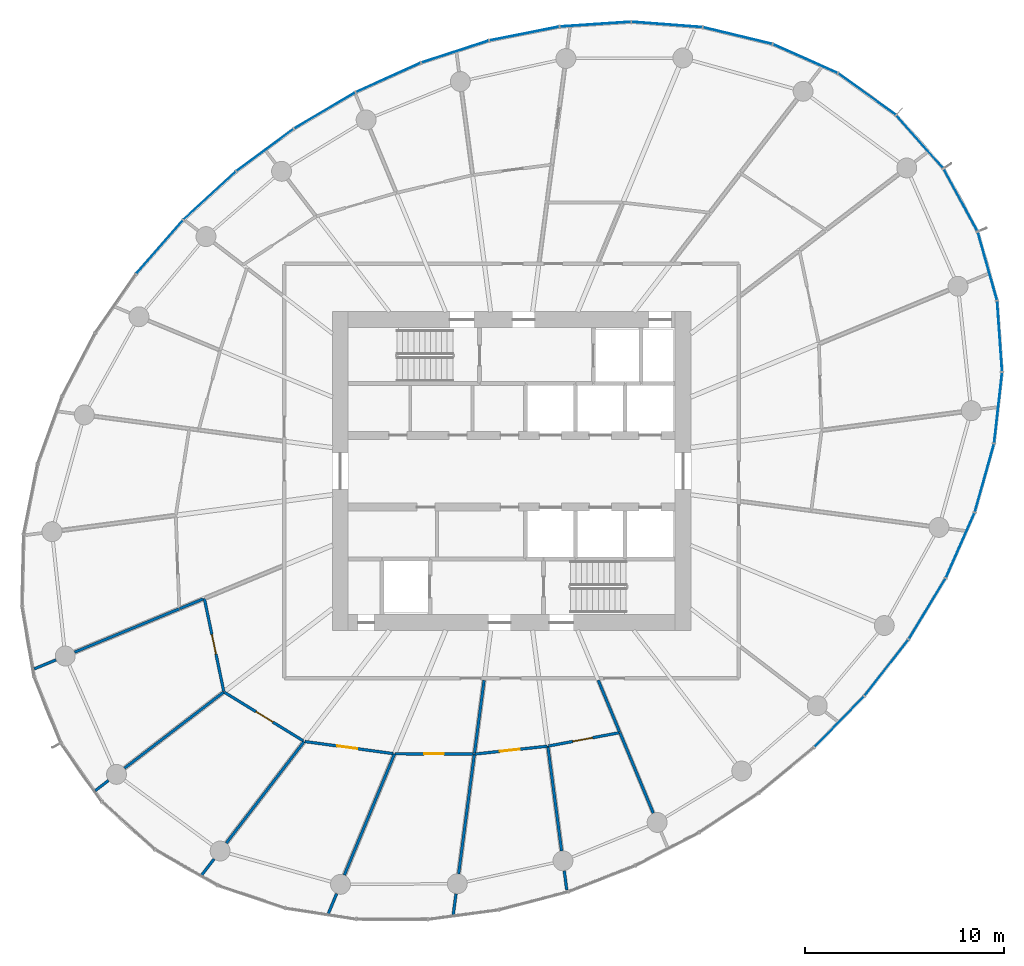
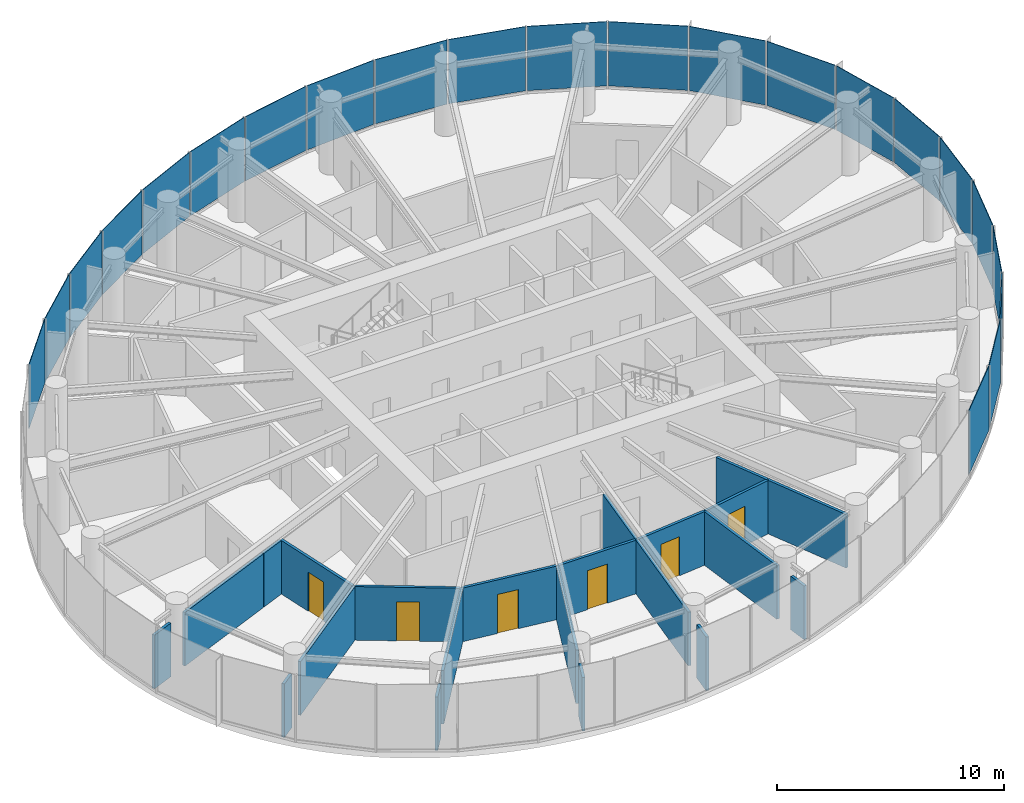
# One storey, part 8 of 15: 22 plates, 22 walls, 6 doors, 6 openings, 5 elements without a shape of their own.
"""IFC4 building model written with IfcOpenShell, lengths in metres."""

from ifc_helpers import new_model, si_unit, direction, frame, frame_2d, origin, origin_2d, place, context, subcontext, project, spatial, rectangle, extrude, source, transform, mapped, material, layer, layer_set, type_object, element, fill, aggregate, save


model = new_model("IFC4")

# Units and contexts
model_context = context("Model", 3, precision=1e-05, world=origin(), true_north=direction((0.0, 1.0)))
body_context = subcontext(model_context, "Body", "Model", "MODEL_VIEW")
ifc_project = project(units=[si_unit("LENGTHUNIT", "METRE"), si_unit("AREAUNIT", "SQUARE_METRE"), si_unit("VOLUMEUNIT", "CUBIC_METRE"), si_unit("PLANEANGLEUNIT", "RADIAN"), si_unit("MASSUNIT", "GRAM", prefix="KILO")], contexts=[model_context])

# Site, building, storey
site_placement = place(None, origin())
site = spatial("IfcSite", under=ifc_project, at=site_placement, CompositionType="ELEMENT")
building_placement = place(site_placement, origin())
building = spatial("IfcBuilding", under=site, at=building_placement, Name="Spindrift Exchange Tower", CompositionType="ELEMENT")
storey_placement = place(building_placement, frame((0.0, 0.0, 168.199951171875)))
storey = spatial("IfcBuildingStorey", under=building, at=storey_placement, Name="L40", CompositionType="ELEMENT", Elevation=168.199951171875)

# Curtain wall, plate
ifc_material_1 = material(Name="Fritted laminated glass with bronze frame", Category="glass")
ifc_layer_1 = layer(ifc_material_1, 0.179931640625)
ifc_layer_set_1 = layer_set([ifc_layer_1], Name="ZONE 3 BRONZE FRITTED WALL")
curtain_wall_type = type_object("IfcCurtainWallType", Name="ZONE 3 BRONZE FRITTED WALL", PredefinedType="NOTDEFINED", material=ifc_layer_set_1)
curtain_wall_1_placement = place(storey_placement, origin())
curtain_wall_1 = element("IfcCurtainWall", 1, at=curtain_wall_1_placement, inside=storey, type_object=curtain_wall_type, Name="L40 Zone 3 Bronze Fritted Wall run 6", PredefinedType="NOTDEFINED")
ifc_material_2 = material(Name="Bronze fritted laminated glass, open frit", Category="glass")
ifc_layer_2 = layer(ifc_material_2, 0.031982421875)
ifc_layer_set_2 = layer_set([ifc_layer_2], Name="ZONE 3 BRONZE FRITTED WALL PANEL OPEN FRIT 360")
plate_type_1 = type_object("IfcPlateType", Name="ZONE 3 BRONZE FRITTED WALL PANEL OPEN FRIT 360", PredefinedType="CURTAIN_PANEL", material=ifc_layer_set_2)
shared_shape_1 = source(origin(), body_context, "Body", "SweptSolid", [
    extrude(rectangle(XDim=3.530517578125, YDim=0.031982421875, at=origin_2d()), origin(), (0.0, 0.0, 1.0), 3.449951171875),
])
plate_1_placement = place(storey_placement, frame((70.81005859375, 38.13623046875, 0.1298828125), z_axis=(0.0, 0.0, 1.0), x_axis=(0.615640845041, 0.788026871316, 0.0)))
plate_1 = element("IfcPlate", 2, at=plate_1_placement, type_object=plate_type_1, Name="L40 panel CW-3.34", PredefinedType="CURTAIN_PANEL", context=body_context, shape_type="MappedRepresentation", body=[
    mapped(shared_shape_1, transform((0.0, 0.0, 0.0), scale=1.0)),
])

curtain_wall_2_placement = place(storey_placement, origin())
curtain_wall_2 = element("IfcCurtainWall", 3, at=curtain_wall_2_placement, inside=storey, type_object=curtain_wall_type, Name="L40 Zone 3 Bronze Fritted Wall run 3", PredefinedType="NOTDEFINED")
ifc_layer_3 = layer(ifc_material_2, 0.031982421875)
ifc_layer_set_3 = layer_set([ifc_layer_3], Name="ZONE 3 BRONZE FRITTED WALL PANEL OPEN FRIT 600")
plate_type_2 = type_object("IfcPlateType", Name="ZONE 3 BRONZE FRITTED WALL PANEL OPEN FRIT 600", PredefinedType="CURTAIN_PANEL", material=ifc_layer_set_3)
shared_shape_2 = source(origin(), body_context, "Body", "SweptSolid", [
    extrude(rectangle(XDim=3.53076171875, YDim=0.031982421875, at=origin_2d()), origin(), (0.0, 0.0, 1.0), 3.449951171875),
])
plate_2_placement = place(storey_placement, frame((34.335693359375, 59.24951171875, 0.1298828125), z_axis=(0.0, 0.0, 1.0), x_axis=(-0.658982256441, -0.752158484427, 0.0)))
plate_2 = element("IfcPlate", 4, at=plate_2_placement, type_object=plate_type_2, Name="L40 panel CW-3.13", PredefinedType="CURTAIN_PANEL", context=body_context, shape_type="MappedRepresentation", body=[
    mapped(shared_shape_2, transform((0.0, 0.0, 0.0), scale=1.0)),
])
aggregate(curtain_wall_2, [plate_2])

# Curtain wall, plates
curtain_wall_3_placement = place(storey_placement, origin())
curtain_wall_3 = element("IfcCurtainWall", 5, at=curtain_wall_3_placement, inside=storey, type_object=curtain_wall_type, Name="L40 Zone 3 Bronze Fritted Wall run 2", PredefinedType="NOTDEFINED")
shared_shape_3 = source(origin(), body_context, "Body", "SweptSolid", [
    extrude(rectangle(XDim=3.531005859375, YDim=0.031982421875, at=origin_2d()), origin(), (0.0, 0.0, 1.0), 3.449951171875),
])
plate_3_placement = place(storey_placement, frame((39.6220703125, 64.109619140625, 0.1298828125), z_axis=(0.0, 0.0, 1.0), x_axis=(-0.803842326115, -0.594842428502, 0.0)))
plate_3 = element("IfcPlate", 6, at=plate_3_placement, type_object=plate_type_2, Name="L40 panel CW-3.11", PredefinedType="CURTAIN_PANEL", context=body_context, shape_type="MappedRepresentation", body=[
    mapped(shared_shape_3, transform((0.0, 0.0, 0.0), scale=1.0)),
])
shared_shape_4 = source(origin(), body_context, "Body", "SweptSolid", [
    extrude(rectangle(XDim=3.531005859375, YDim=0.031982421875, at=origin_2d()), origin(), (0.0, 0.0, 1.0), 3.449951171875),
])
plate_4_placement = place(storey_placement, frame((42.620849609375, 66.093994140625, 0.1298828125), z_axis=(0.0, 0.0, 1.0), x_axis=(-0.861758462413, -0.507318787805, 0.0)))
plate_4 = element("IfcPlate", 7, at=plate_4_placement, type_object=plate_type_1, Name="L40 panel CW-3.10", PredefinedType="CURTAIN_PANEL", context=body_context, shape_type="MappedRepresentation", body=[
    mapped(shared_shape_4, transform((0.0, 0.0, 0.0), scale=1.0)),
])
shared_shape_5 = source(origin(), body_context, "Body", "SweptSolid", [
    extrude(rectangle(XDim=3.53076171875, YDim=0.031982421875, at=origin_2d()), origin(), (0.0, 0.0, 1.0), 3.449951171875),
])
plate_5_placement = place(storey_placement, frame((36.848388671875, 61.8212890625, 0.1298828125), z_axis=(0.0, 0.0, 1.0), x_axis=(-0.736662706733, -0.676260346692, 0.0)))
plate_5 = element("IfcPlate", 8, at=plate_5_placement, type_object=plate_type_1, Name="L40 panel CW-3.12", PredefinedType="CURTAIN_PANEL", context=body_context, shape_type="MappedRepresentation", body=[
    mapped(shared_shape_5, transform((0.0, 0.0, 0.0), scale=1.0)),
])
ifc_layer_4 = layer(ifc_material_2, 0.031982421875)
ifc_layer_set_4 = layer_set([ifc_layer_4], Name="ZONE 3 BRONZE FRITTED WALL PANEL OPEN FRIT 480")
plate_type_3 = type_object("IfcPlateType", Name="ZONE 3 BRONZE FRITTED WALL PANEL OPEN FRIT 480", PredefinedType="CURTAIN_PANEL", material=ifc_layer_set_4)
shared_shape_6 = source(origin(), body_context, "Body", "SweptSolid", [
    extrude(rectangle(XDim=3.530517578125, YDim=0.031982421875, at=origin_2d()), origin(), (0.0, 0.0, 1.0), 3.449951171875),
])
plate_6_placement = place(storey_placement, frame((49.16455078125, 69.04931640625, 0.1298828125), z_axis=(0.0, 0.0, 1.0), x_axis=(-0.951068920266, -0.308978816271, 0.0)))
plate_6 = element("IfcPlate", 9, at=plate_6_placement, type_object=plate_type_3, Name="L40 panel CW-3.8", PredefinedType="CURTAIN_PANEL", context=body_context, shape_type="MappedRepresentation", body=[
    mapped(shared_shape_6, transform((0.0, 0.0, 0.0), scale=1.0)),
])
shared_shape_7 = source(origin(), body_context, "Body", "SweptSolid", [
    extrude(rectangle(XDim=3.53076171875, YDim=0.031982421875, at=origin_2d()), origin(), (0.0, 0.0, 1.0), 3.449951171875),
])
plate_7_placement = place(storey_placement, frame((45.8125, 67.750244140625, 0.1298828125), z_axis=(0.0, 0.0, 1.0), x_axis=(-0.910921440814, -0.4125798452, 0.0)))
plate_7 = element("IfcPlate", 10, at=plate_7_placement, type_object=plate_type_3, Name="L40 panel CW-3.9", PredefinedType="CURTAIN_PANEL", context=body_context, shape_type="MappedRepresentation", body=[
    mapped(shared_shape_7, transform((0.0, 0.0, 0.0), scale=1.0)),
])

# Plate
plate_8_placement = place(storey_placement, frame((68.44287109375, 35.430419921875, 0.1298828125), z_axis=(0.0, 0.0, 1.0), x_axis=(0.699245479272, 0.714881640356, 0.0)))
plate_8 = element("IfcPlate", 11, at=plate_8_placement, type_object=plate_type_3, Name="L40 panel CW-3.33", PredefinedType="CURTAIN_PANEL", context=body_context, shape_type="MappedRepresentation", body=[
    mapped(shared_shape_7, transform((0.0, 0.0, 0.0), scale=1.0)),
])

# Curtain wall, plate
curtain_wall_4_placement = place(storey_placement, origin())
curtain_wall_4 = element("IfcCurtainWall", 12, at=curtain_wall_4_placement, inside=storey, type_object=curtain_wall_type, Name="L40 Zone 3 Bronze Fritted Wall run 7", PredefinedType="NOTDEFINED")
shared_shape_8 = source(origin(), body_context, "Body", "SweptSolid", [
    extrude(rectangle(XDim=3.52490234375, YDim=0.031982421875, at=origin_2d()), origin(), (0.0, 0.0, 1.0), 3.449951171875),
])
plate_9_placement = place(storey_placement, frame((74.531982421875, 61.597412109375, 0.1298828125), z_axis=(0.0, 0.0, 1.0), x_axis=(-0.476304194275, 0.879280566438, 0.0)))
plate_9 = element("IfcPlate", 13, at=plate_9_placement, type_object=plate_type_3, Name="L40 panel CW-3.41", PredefinedType="CURTAIN_PANEL", context=body_context, shape_type="MappedRepresentation", body=[
    mapped(shared_shape_8, transform((0.0, 0.0, 0.0), scale=1.0)),
])

curtain_wall_5_placement = place(storey_placement, origin())
curtain_wall_5 = element("IfcCurtainWall", 14, at=curtain_wall_5_placement, inside=storey, type_object=curtain_wall_type, Name="L40 Zone 3 Bronze Fritted Wall run 1", PredefinedType="NOTDEFINED")
shared_shape_9 = source(origin(), body_context, "Body", "SweptSolid", [
    extrude(rectangle(XDim=3.52685546875, YDim=0.031982421875, at=origin_2d()), origin(), (0.0, 0.0, 1.0), 3.449951171875),
])
plate_10_placement = place(storey_placement, frame((66.7294921875, 68.698974609375, 0.1298828125), z_axis=(0.0, 0.0, 1.0), x_axis=(-0.9134716141, 0.406902457886, 0.0)))
plate_10 = element("IfcPlate", 15, at=plate_10_placement, type_object=plate_type_3, Name="L40 panel CW-3.3", PredefinedType="CURTAIN_PANEL", context=body_context, shape_type="MappedRepresentation", body=[
    mapped(shared_shape_9, transform((0.0, 0.0, 0.0), scale=1.0)),
])

# Plate
shared_shape_10 = source(origin(), body_context, "Body", "SweptSolid", [
    extrude(rectangle(XDim=3.5302734375, YDim=0.031982421875, at=origin_2d()), origin(), (0.0, 0.0, 1.0), 3.449951171875),
])
plate_11_placement = place(storey_placement, frame((72.8515625, 41.094482421875, 0.1298828125), z_axis=(0.0, 0.0, 1.0), x_axis=(0.518289733967, 0.855205093334, 0.0)))
plate_11 = element("IfcPlate", 16, at=plate_11_placement, type_object=plate_type_1, Name="L40 panel CW-3.35", PredefinedType="CURTAIN_PANEL", context=body_context, shape_type="MappedRepresentation", body=[
    mapped(shared_shape_10, transform((0.0, 0.0, 0.0), scale=1.0)),
])

shared_shape_11 = source(origin(), body_context, "Body", "SweptSolid", [
    extrude(rectangle(XDim=3.5302734375, YDim=0.031982421875, at=origin_2d()), origin(), (0.0, 0.0, 1.0), 3.449951171875),
])
plate_12_placement = place(storey_placement, frame((52.642578125, 69.955810546875, 0.1298828125), z_axis=(0.0, 0.0, 1.0), x_axis=(-0.98089442596, -0.194540805797, 0.0)))
plate_12 = element("IfcPlate", 17, at=plate_12_placement, type_object=plate_type_3, Name="L40 panel CW-3.7", PredefinedType="CURTAIN_PANEL", context=body_context, shape_type="MappedRepresentation", body=[
    mapped(shared_shape_11, transform((0.0, 0.0, 0.0), scale=1.0)),
])

aggregate(curtain_wall_3, [plate_12, plate_6, plate_7, plate_4, plate_3, plate_5])

shared_shape_12 = source(origin(), body_context, "Body", "SweptSolid", [
    extrude(rectangle(XDim=3.52978515625, YDim=0.031982421875, at=origin_2d()), origin(), (0.0, 0.0, 1.0), 3.449951171875),
])
plate_13_placement = place(storey_placement, frame((56.2041015625, 70.426513671875, 0.1298828125), z_axis=(0.0, 0.0, 1.0), x_axis=(-0.997752852795, -0.067001826392, 0.0)))
plate_13 = element("IfcPlate", 18, at=plate_13_placement, type_object=plate_type_2, Name="L40 panel CW-3.6", PredefinedType="CURTAIN_PANEL", context=body_context, shape_type="MappedRepresentation", body=[
    mapped(shared_shape_12, transform((0.0, 0.0, 0.0), scale=1.0)),
])

plate_14_placement = place(storey_placement, frame((74.511962890625, 44.2802734375, 0.1298828125), z_axis=(0.0, 0.0, 1.0), x_axis=(0.404217484726, 0.914662902408, 0.0)))
plate_14 = element("IfcPlate", 19, at=plate_14_placement, type_object=plate_type_2, Name="L40 panel CW-3.36", PredefinedType="CURTAIN_PANEL", context=body_context, shape_type="MappedRepresentation", body=[
    mapped(shared_shape_12, transform((0.0, 0.0, 0.0), scale=1.0)),
])

aggregate(curtain_wall_1, [plate_8, plate_1, plate_11, plate_14])

shared_shape_13 = source(origin(), body_context, "Body", "SweptSolid", [
    extrude(rectangle(XDim=3.525634765625, YDim=0.031982421875, at=origin_2d()), origin(), (0.0, 0.0, 1.0), 3.449951171875),
])
plate_15_placement = place(storey_placement, frame((75.87548828125, 58.286376953125, 0.1298828125), z_axis=(0.0, 0.0, 1.0), x_axis=(-0.270995273509, 0.96258067804, 0.0)))
plate_15 = element("IfcPlate", 20, at=plate_15_placement, type_object=plate_type_3, Name="L40 panel CW-3.40", PredefinedType="CURTAIN_PANEL", context=body_context, shape_type="MappedRepresentation", body=[
    mapped(shared_shape_13, transform((0.0, 0.0, 0.0), scale=1.0)),
])

shared_shape_14 = source(origin(), body_context, "Body", "SweptSolid", [
    extrude(rectangle(XDim=3.5283203125, YDim=0.031982421875, at=origin_2d()), origin(), (0.0, 0.0, 1.0), 3.449951171875),
])
plate_16_placement = place(storey_placement, frame((63.337646484375, 69.852783203125, 0.1298828125), z_axis=(0.0, 0.0, 1.0), x_axis=(-0.972101184359, 0.234561905195, 0.0)))
plate_16 = element("IfcPlate", 21, at=plate_16_placement, type_object=plate_type_1, Name="L40 panel CW-3.4", PredefinedType="CURTAIN_PANEL", context=body_context, shape_type="MappedRepresentation", body=[
    mapped(shared_shape_14, transform((0.0, 0.0, 0.0), scale=1.0)),
])

shared_shape_15 = source(origin(), body_context, "Body", "SweptSolid", [
    extrude(rectangle(XDim=3.525634765625, YDim=0.031982421875, at=origin_2d()), origin(), (0.0, 0.0, 1.0), 3.449951171875),
])
plate_17_placement = place(storey_placement, frame((69.831787109375, 66.91748046875, 0.1298828125), z_axis=(0.0, 0.0, 1.0), x_axis=(-0.811844117779, 0.58387424025, 0.0)))
plate_17 = element("IfcPlate", 22, at=plate_17_placement, type_object=plate_type_2, Name="L40 panel CW-3.2", PredefinedType="CURTAIN_PANEL", context=body_context, shape_type="MappedRepresentation", body=[
    mapped(shared_shape_15, transform((0.0, 0.0, 0.0), scale=1.0)),
])

shared_shape_16 = source(origin(), body_context, "Body", "SweptSolid", [
    extrude(rectangle(XDim=3.52685546875, YDim=0.031982421875, at=origin_2d()), origin(), (0.0, 0.0, 1.0), 3.449951171875),
])
plate_18_placement = place(storey_placement, frame((76.48828125, 54.76171875, 0.1298828125), z_axis=(0.0, 0.0, 1.0), x_axis=(-0.069949732061, 0.99755051751, 0.0)))
plate_18 = element("IfcPlate", 23, at=plate_18_placement, type_object=plate_type_2, Name="L40 panel CW-3.39", PredefinedType="CURTAIN_PANEL", context=body_context, shape_type="MappedRepresentation", body=[
    mapped(shared_shape_16, transform((0.0, 0.0, 0.0), scale=1.0)),
])

shared_shape_17 = source(origin(), body_context, "Body", "SweptSolid", [
    extrude(rectangle(XDim=3.52490234375, YDim=0.031982421875, at=origin_2d()), origin(), (0.0, 0.0, 1.0), 3.449951171875),
])
plate_19_placement = place(storey_placement, frame((72.483642578125, 64.522705078125, 0.1298828125), z_axis=(0.0, 0.0, 1.0), x_axis=(-0.663351749229, 0.748307728675, 0.0)))
plate_19 = element("IfcPlate", 24, at=plate_19_placement, type_object=plate_type_2, Name="L40 panel CW-3.1", PredefinedType="CURTAIN_PANEL", context=body_context, shape_type="MappedRepresentation", body=[
    mapped(shared_shape_17, transform((0.0, 0.0, 0.0), scale=1.0)),
])

shared_shape_18 = source(origin(), body_context, "Body", "SweptSolid", [
    extrude(rectangle(XDim=3.529052734375, YDim=0.031982421875, at=origin_2d()), origin(), (0.0, 0.0, 1.0), 3.449951171875),
])
plate_20_placement = place(storey_placement, frame((59.79443359375, 70.410888671875, 0.1298828125), z_axis=(0.0, 0.0, 1.0), x_axis=(-0.997129506908, 0.075714902456, 0.0)))
plate_20 = element("IfcPlate", 25, at=plate_20_placement, type_object=plate_type_2, Name="L40 panel CW-3.5", PredefinedType="CURTAIN_PANEL", context=body_context, shape_type="MappedRepresentation", body=[
    mapped(shared_shape_18, transform((0.0, 0.0, 0.0), scale=1.0)),
])

aggregate(curtain_wall_5, [plate_19, plate_17, plate_10, plate_16, plate_20, plate_13])

plate_21_placement = place(storey_placement, frame((75.72509765625, 47.659423828125, 0.1298828125), z_axis=(0.0, 0.0, 1.0), x_axis=(0.269869474939, 0.962896913743, 0.0)))
plate_21 = element("IfcPlate", 26, at=plate_21_placement, type_object=plate_type_2, Name="L40 panel CW-3.37", PredefinedType="CURTAIN_PANEL", context=body_context, shape_type="MappedRepresentation", body=[
    mapped(shared_shape_18, transform((0.0, 0.0, 0.0), scale=1.0)),
])

shared_shape_19 = source(origin(), body_context, "Body", "SweptSolid", [
    extrude(rectangle(XDim=3.5283203125, YDim=0.031982421875, at=origin_2d()), origin(), (0.0, 0.0, 1.0), 3.449951171875),
])
plate_22_placement = place(storey_placement, frame((76.41259765625, 51.179931640625, 0.1298828125), z_axis=(0.0, 0.0, 1.0), x_axis=(0.112084641309, 0.993698663168, 0.0)))
plate_22 = element("IfcPlate", 27, at=plate_22_placement, type_object=plate_type_2, Name="L40 panel CW-3.38", PredefinedType="CURTAIN_PANEL", context=body_context, shape_type="MappedRepresentation", body=[
    mapped(shared_shape_19, transform((0.0, 0.0, 0.0), scale=1.0)),
])

aggregate(curtain_wall_4, [plate_21, plate_22, plate_18, plate_15, plate_9])

# Walls
ifc_material_3 = material(Name="Fire-rated plasterboard partition", Category="gypsum")
ifc_layer_5 = layer(ifc_material_3, 0.139892578125)
ifc_layer_set_5 = layer_set([ifc_layer_5], Name="W-PART-140")
wall_type = type_object("IfcWallType", Name="W-PART-140", PredefinedType="PARTITIONING", material=ifc_layer_set_5)
wall_1_placement = place(storey_placement, frame((46.12548828125, 33.81787109375, 0.0), z_axis=(0.0, 0.0, 1.0), x_axis=(-0.38267385781, -0.923883498364, 0.0)))
element("IfcWall", 28, at=wall_1_placement, inside=storey, type_object=wall_type, Name="L40 Partition wall 33", PredefinedType="PARTITIONING", context=body_context, shape_type="SweptSolid", body=[
    extrude(rectangle(XDim=6.58349609375, YDim=0.139892578125, at=frame_2d((3.291748046875, 0.0))), origin(), (0.0, 0.0, 1.0), 2.880126953125),
])
wall_2_placement = place(storey_placement, frame((41.59423828125, 34.439208984375, 0.0), z_axis=(0.0, 0.0, 1.0), x_axis=(-0.608759289162, -0.793354982249, 0.0)))
element("IfcWall", 29, at=wall_2_placement, inside=storey, type_object=wall_type, Name="L40 Partition wall 34", PredefinedType="PARTITIONING", context=body_context, shape_type="SweptSolid", body=[
    extrude(rectangle(XDim=6.42626953125, YDim=0.139892578125, at=frame_2d((3.213134765625, 0.0))), origin(), (0.0, 0.0, 1.0), 2.880126953125),
])
wall_3_placement = place(storey_placement, frame((37.562744140625, 36.921875, 0.0), z_axis=(0.0, 0.0, 1.0), x_axis=(-0.793368198418, -0.608742065032, 0.0)))
element("IfcWall", 30, at=wall_3_placement, inside=storey, type_object=wall_type, Name="L40 Partition wall 35", PredefinedType="PARTITIONING", context=body_context, shape_type="SweptSolid", body=[
    extrude(rectangle(XDim=6.287841796875, YDim=0.139892578125, at=frame_2d((3.14404296875, 0.0))), origin(), (0.0, 0.0, 1.0), 2.880126953125),
])
wall_4_placement = place(storey_placement, frame((50.130859375, 33.8017578125, 0.0), z_axis=(0.0, 0.0, 1.0), x_axis=(-0.130558749059, -0.991440574641, 0.0)))
element("IfcWall", 31, at=wall_4_placement, inside=storey, type_object=wall_type, Name="L40 Partition wall 36", PredefinedType="PARTITIONING", context=body_context, shape_type="SweptSolid", body=[
    extrude(rectangle(XDim=6.05859375, YDim=0.139892578125, at=frame_2d((3.029296875, 0.0))), origin(), (0.0, 0.0, 1.0), 2.880126953125),
])
wall_5_placement = place(storey_placement, frame((35.325439453125, 41.09326171875, 0.0), z_axis=(0.0, 0.0, 1.0), x_axis=(-0.923876123861, -0.38269166147, 0.0)))
element("IfcWall", 32, at=wall_5_placement, inside=storey, type_object=wall_type, Name="L40 Partition wall 39", PredefinedType="PARTITIONING", context=body_context, shape_type="SweptSolid", body=[
    extrude(rectangle(XDim=5.688720703125, YDim=0.139892578125, at=frame_2d((2.84423828125, 0.0))), origin(), (0.0, 0.0, 1.0), 2.880126953125),
])
wall_6_placement = place(storey_placement, frame((53.81640625, 34.201904296875, 0.0), z_axis=(0.0, 0.0, 1.0), x_axis=(0.130536754779, -0.991443470729, 0.0)))
element("IfcWall", 33, at=wall_6_placement, inside=storey, type_object=wall_type, Name="L40 Partition wall 40", PredefinedType="PARTITIONING", context=body_context, shape_type="SweptSolid", body=[
    extrude(rectangle(XDim=5.298583984375, YDim=0.139892578125, at=frame_2d((2.6494140625, 0.0))), origin(), (0.0, 0.0, 1.0), 2.880126953125),
])

# Wall, opening, door
wall_7_placement = place(storey_placement, frame((37.556640625, 36.951171875, 0.0), z_axis=(0.0, 0.0, 1.0), x_axis=(-0.204772935083, 0.978809503968, 0.0)))
wall_7 = element("IfcWall", 34, at=wall_7_placement, inside=storey, type_object=wall_type, Name="L40 Partition wall 44", PredefinedType="PARTITIONING", context=body_context, shape_type="SweptSolid", body=[
    extrude(rectangle(XDim=4.762939453125, YDim=0.139892578125, at=frame_2d((2.38134765625, 0.0))), origin(), (0.0, 0.0, 1.0), 2.880126953125),
])
opening_1_placement = place(wall_7_placement, frame((1.9130859375, 0.0, 0.0)))
opening_1 = element("IfcOpeningElement", 35, at=opening_1_placement, cuts=wall_7, Name="Opening L40-D34", PredefinedType="OPENING", context=body_context, shape_type="SweptSolid", body=[
    extrude(rectangle(XDim=1.0, YDim=2.10009765625, at=frame_2d((0.5, 1.050048828125))), frame((0.0, 0.079833984375, 0.0), z_axis=(0.0, -1.0, 0.0), x_axis=(1.0, 0.0, 0.0)), (0.0, 0.0, 1.0), 0.159912109375),
])
ifc_material_4 = material(Name="Timber-core fire door", Category="wood")
door_type = type_object("IfcDoorType", Name="DR-ROOM-1000", OperationType="NOTDEFINED", PredefinedType="DOOR", material=ifc_material_4)
shared_shape_20 = source(origin(), body_context, "Body", "SweptSolid", [
    extrude(rectangle(XDim=1.0, YDim=2.10009765625, at=frame_2d((0.5, 1.050048828125))), frame((0.0, 0.02490234375, 0.0), z_axis=(0.0, -1.0, 0.0), x_axis=(1.0, 0.0, 0.0)), (0.0, 0.0, 1.0), 0.050048828125),
])
door_1_placement = place(opening_1_placement, origin())
door_1 = element("IfcDoor", 36, at=door_1_placement, inside=storey, type_object=door_type, Name="L40 Door 34", OperationType="SINGLE_SWING_RIGHT", OverallHeight=2.10009765625, OverallWidth=1.0, PredefinedType="DOOR", context=body_context, shape_type="MappedRepresentation", body=[
    mapped(shared_shape_20, transform((0.0, 0.0, 0.0), scale=1.0)),
])
fill(opening_1, door_1)

wall_8_placement = place(storey_placement, frame((41.534423828125, 34.47607421875, 0.0), z_axis=(0.0, 0.0, 1.0), x_axis=(-0.851519012553, 0.524323727539, 0.0)))
wall_8 = element("IfcWall", 37, at=wall_8_placement, inside=storey, type_object=wall_type, Name="L40 Partition wall 46", PredefinedType="PARTITIONING", context=body_context, shape_type="SweptSolid", body=[
    extrude(rectangle(XDim=4.634521484375, YDim=0.139892578125, at=frame_2d((2.3173828125, 0.0))), origin(), (0.0, 0.0, 1.0), 2.880126953125),
])
opening_2_placement = place(wall_8_placement, frame((1.784423828125, 0.0, 0.0)))
opening_2 = element("IfcOpeningElement", 38, at=opening_2_placement, cuts=wall_8, Name="Opening L40-D35", PredefinedType="OPENING", context=body_context, shape_type="SweptSolid", body=[
    extrude(rectangle(XDim=1.0, YDim=2.10009765625, at=frame_2d((0.5, 1.050048828125))), frame((0.0, 0.079833984375, 0.0), z_axis=(0.0, -1.0, 0.0), x_axis=(1.0, 0.0, 0.0)), (0.0, 0.0, 1.0), 0.159912109375),
])
door_2_placement = place(opening_2_placement, origin())
door_2 = element("IfcDoor", 39, at=door_2_placement, inside=storey, type_object=door_type, Name="L40 Door 35", OperationType="SINGLE_SWING_LEFT", OverallHeight=2.10009765625, OverallWidth=1.0, PredefinedType="DOOR", context=body_context, shape_type="MappedRepresentation", body=[
    mapped(shared_shape_20, transform((0.0, 0.0, 0.0), scale=1.0)),
])
fill(opening_2, door_2)

wall_9_placement = place(storey_placement, frame((46.0537109375, 33.82763671875, 0.0), z_axis=(0.0, 0.0, 1.0), x_axis=(-0.99072887991, 0.135853916072, 0.0)))
wall_9 = element("IfcWall", 40, at=wall_9_placement, inside=storey, type_object=wall_type, Name="L40 Partition wall 50", PredefinedType="PARTITIONING", context=body_context, shape_type="SweptSolid", body=[
    extrude(rectangle(XDim=4.47119140625, YDim=0.139892578125, at=frame_2d((2.235595703125, 0.0))), origin(), (0.0, 0.0, 1.0), 2.880126953125),
])
opening_3_placement = place(wall_9_placement, frame((1.8212890625, 0.0, 0.0)))
opening_3 = element("IfcOpeningElement", 41, at=opening_3_placement, cuts=wall_9, Name="Opening L40-D36", PredefinedType="OPENING", context=body_context, shape_type="SweptSolid", body=[
    extrude(rectangle(XDim=1.0, YDim=2.10009765625, at=frame_2d((0.5, 1.050048828125))), frame((0.0, 0.079833984375, 0.0), z_axis=(0.0, -1.0, 0.0), x_axis=(1.0, 0.0, 0.0)), (0.0, 0.0, 1.0), 0.159912109375),
])
door_3_placement = place(opening_3_placement, origin())
door_3 = element("IfcDoor", 42, at=door_3_placement, inside=storey, type_object=door_type, Name="L40 Door 36", OperationType="SINGLE_SWING_RIGHT", OverallHeight=2.10009765625, OverallWidth=1.0, PredefinedType="DOOR", context=body_context, shape_type="MappedRepresentation", body=[
    mapped(shared_shape_20, transform((0.0, 0.0, 0.0), scale=1.0)),
])
fill(opening_3, door_3)

# Wall
wall_10_placement = place(storey_placement, frame((57.43359375, 34.88232421875, 0.0), z_axis=(0.0, 0.0, 1.0), x_axis=(0.382688609924, -0.923877387879, 0.0)))
element("IfcWall", 43, at=wall_10_placement, inside=storey, type_object=wall_type, Name="L40 Partition wall 55", PredefinedType="PARTITIONING", context=body_context, shape_type="SweptSolid", body=[
    extrude(rectangle(XDim=4.37451171875, YDim=0.139892578125, at=frame_2d((2.187255859375, 0.0))), origin(), (0.0, 0.0, 1.0), 2.880126953125),
])

# Wall, opening, door
wall_11_placement = place(storey_placement, frame((50.060546875, 33.80517578125, 0.0), z_axis=(0.0, 0.0, 1.0), x_axis=(-0.999994916784, 0.003188480197, 0.0)))
wall_11 = element("IfcWall", 44, at=wall_11_placement, inside=storey, type_object=wall_type, Name="L40 Partition wall 65", PredefinedType="PARTITIONING", context=body_context, shape_type="SweptSolid", body=[
    extrude(rectangle(XDim=3.905029296875, YDim=0.139892578125, at=frame_2d((1.95263671875, 0.0))), origin(), (0.0, 0.0, 1.0), 2.880126953125),
])
opening_4_placement = place(wall_11_placement, frame((1.455078125, 0.0, 0.0)))
opening_4 = element("IfcOpeningElement", 45, at=opening_4_placement, cuts=wall_11, Name="Opening L40-D37", PredefinedType="OPENING", context=body_context, shape_type="SweptSolid", body=[
    extrude(rectangle(XDim=1.0, YDim=2.10009765625, at=frame_2d((0.5, 1.050048828125))), frame((0.0, 0.079833984375, 0.0), z_axis=(0.0, -1.0, 0.0), x_axis=(1.0, 0.0, 0.0)), (0.0, 0.0, 1.0), 0.159912109375),
])
door_4_placement = place(opening_4_placement, origin())
door_4 = element("IfcDoor", 46, at=door_4_placement, inside=storey, type_object=door_type, Name="L40 Door 37", OperationType="SINGLE_SWING_LEFT", OverallHeight=2.10009765625, OverallWidth=1.0, PredefinedType="DOOR", context=body_context, shape_type="MappedRepresentation", body=[
    mapped(shared_shape_20, transform((0.0, 0.0, 0.0), scale=1.0)),
])
fill(opening_4, door_4)

# Wall
wall_12_placement = place(storey_placement, frame((50.618896484375, 37.510009765625, 0.0), z_axis=(0.0, 0.0, 1.0), x_axis=(-0.130478341519, -0.991451159863, 0.0)))
element("IfcWall", 47, at=wall_12_placement, inside=storey, type_object=wall_type, Name="L40 Partition wall 69", PredefinedType="PARTITIONING", context=body_context, shape_type="SweptSolid", body=[
    extrude(rectangle(XDim=3.71044921875, YDim=0.139892578125, at=frame_2d((1.855224609375, 0.0))), origin(), (0.0, 0.0, 1.0), 2.880126953125),
])

# Wall, opening, door
wall_13_placement = place(storey_placement, frame((53.78662109375, 34.19873046875, 0.0), z_axis=(0.0, 0.0, 1.0), x_axis=(-0.994154931326, -0.107962829343, 0.0)))
wall_13 = element("IfcWall", 48, at=wall_13_placement, inside=storey, type_object=wall_type, Name="L40 Partition wall 71", PredefinedType="PARTITIONING", context=body_context, shape_type="SweptSolid", body=[
    extrude(rectangle(XDim=3.6474609375, YDim=0.139892578125, at=frame_2d((1.82373046875, 0.0))), origin(), (0.0, 0.0, 1.0), 2.880126953125),
])
opening_5_placement = place(wall_13_placement, frame((1.3974609375, 0.0, 0.0)))
opening_5 = element("IfcOpeningElement", 49, at=opening_5_placement, cuts=wall_13, Name="Opening L40-D39", PredefinedType="OPENING", context=body_context, shape_type="SweptSolid", body=[
    extrude(rectangle(XDim=1.0, YDim=2.10009765625, at=frame_2d((0.5, 1.050048828125))), frame((0.0, 0.079833984375, 0.0), z_axis=(0.0, -1.0, 0.0), x_axis=(1.0, 0.0, 0.0)), (0.0, 0.0, 1.0), 0.159912109375),
])
door_5_placement = place(opening_5_placement, origin())
door_5 = element("IfcDoor", 50, at=door_5_placement, inside=storey, type_object=door_type, Name="L40 Door 39", OperationType="SINGLE_SWING_LEFT", OverallHeight=2.10009765625, OverallWidth=1.0, PredefinedType="DOOR", context=body_context, shape_type="MappedRepresentation", body=[
    mapped(shared_shape_20, transform((0.0, 0.0, 0.0), scale=1.0)),
])
fill(opening_5, door_5)

wall_14_placement = place(storey_placement, frame((57.404052734375, 34.876708984375, 0.0), z_axis=(0.0, 0.0, 1.0), x_axis=(-0.982769740803, -0.184834078464, 0.0)))
wall_14 = element("IfcWall", 51, at=wall_14_placement, inside=storey, type_object=wall_type, Name="L40 Partition wall 72", PredefinedType="PARTITIONING", context=body_context, shape_type="SweptSolid", body=[
    extrude(rectangle(XDim=3.62060546875, YDim=0.139892578125, at=frame_2d((1.810302734375, 0.0))), origin(), (0.0, 0.0, 1.0), 2.880126953125),
])
opening_6_placement = place(wall_14_placement, frame((1.37060546875, 0.0, 0.0)))
opening_6 = element("IfcOpeningElement", 52, at=opening_6_placement, cuts=wall_14, Name="Opening L40-D40", PredefinedType="OPENING", context=body_context, shape_type="SweptSolid", body=[
    extrude(rectangle(XDim=1.0, YDim=2.10009765625, at=frame_2d((0.5, 1.050048828125))), frame((0.0, 0.079833984375, 0.0), z_axis=(0.0, -1.0, 0.0), x_axis=(1.0, 0.0, 0.0)), (0.0, 0.0, 1.0), 0.159912109375),
])
door_6_placement = place(opening_6_placement, origin())
door_6 = element("IfcDoor", 53, at=door_6_placement, inside=storey, type_object=door_type, Name="L40 Door 40", OperationType="SINGLE_SWING_RIGHT", OverallHeight=2.10009765625, OverallWidth=1.0, PredefinedType="DOOR", context=body_context, shape_type="MappedRepresentation", body=[
    mapped(shared_shape_20, transform((0.0, 0.0, 0.0), scale=1.0)),
])
fill(opening_6, door_6)

# Walls
wall_15_placement = place(storey_placement, frame((56.34521484375, 37.510009765625, 0.0), z_axis=(0.0, 0.0, 1.0), x_axis=(0.382655706448, -0.923891016475, 0.0)))
element("IfcWall", 54, at=wall_15_placement, inside=storey, type_object=wall_type, Name="L40 Partition wall 77", PredefinedType="PARTITIONING", context=body_context, shape_type="SweptSolid", body=[
    extrude(rectangle(XDim=2.814208984375, YDim=0.139892578125, at=frame_2d((1.4072265625, 0.0))), origin(), (0.0, 0.0, 1.0), 2.880126953125),
])
wall_16_placement = place(storey_placement, frame((36.515380859375, 41.586181640625, 0.0), z_axis=(0.0, 0.0, 1.0), x_axis=(-0.923855963606, -0.38274032778, 0.0)))
element("IfcWall", 55, at=wall_16_placement, inside=storey, type_object=wall_type, Name="L40 Partition wall 87", PredefinedType="PARTITIONING", context=body_context, shape_type="SweptSolid", body=[
    extrude(rectangle(XDim=1.2578125, YDim=0.139892578125, at=frame_2d((0.62890625, 0.0))), origin(), (0.0, 0.0, 1.0), 2.880126953125),
])
wall_17_placement = place(storey_placement, frame((29.13671875, 38.52978515625, 0.0), z_axis=(0.0, 0.0, 1.0), x_axis=(-0.923891330959, -0.382654947151, 0.0)))
element("IfcWall", 56, at=wall_17_placement, inside=storey, type_object=wall_type, Name="L40 Partition wall 89", PredefinedType="PARTITIONING", context=body_context, shape_type="SweptSolid", body=[
    extrude(rectangle(XDim=1.185546875, YDim=0.139892578125, at=frame_2d((0.5927734375, 0.0))), origin(), (0.0, 0.0, 1.0), 2.880126953125),
])
wall_18_placement = place(storey_placement, frame((43.2197265625, 26.802490234375, 0.0), z_axis=(0.0, 0.0, 1.0), x_axis=(-0.382702652666, -0.923871570968, 0.0)))
element("IfcWall", 57, at=wall_18_placement, inside=storey, type_object=wall_type, Name="L40 Partition wall 90", PredefinedType="PARTITIONING", context=body_context, shape_type="SweptSolid", body=[
    extrude(rectangle(XDim=1.106201171875, YDim=0.139892578125, at=frame_2d((0.55322265625, 0.0))), origin(), (0.0, 0.0, 1.0), 2.880126953125),
])
wall_19_placement = place(storey_placement, frame((49.208251953125, 26.794677734375, 0.0), z_axis=(0.0, 0.0, 1.0), x_axis=(-0.130418875157, -0.991458984025, 0.0)))
element("IfcWall", 58, at=wall_19_placement, inside=storey, type_object=wall_type, Name="L40 Partition wall 92", PredefinedType="PARTITIONING", context=body_context, shape_type="SweptSolid", body=[
    extrude(rectangle(XDim=1.063232421875, YDim=0.139892578125, at=frame_2d((0.53173828125, 0.0))), origin(), (0.0, 0.0, 1.0), 2.880126953125),
])
wall_20_placement = place(storey_placement, frame((37.068115234375, 28.540283203125, 0.0), z_axis=(0.0, 0.0, 1.0), x_axis=(-0.608863825282, -0.793274758367, 0.0)))
element("IfcWall", 59, at=wall_20_placement, inside=storey, type_object=wall_type, Name="L40 Partition wall 93", PredefinedType="PARTITIONING", context=body_context, shape_type="SweptSolid", body=[
    extrude(rectangle(XDim=1.03125, YDim=0.139892578125, at=frame_2d((0.515625, 0.0))), origin(), (0.0, 0.0, 1.0), 2.880126953125),
])
wall_21_placement = place(storey_placement, frame((54.639892578125, 27.948486328125, 0.0), z_axis=(0.0, 0.0, 1.0), x_axis=(0.130591727785, -0.991436231249, 0.0)))
element("IfcWall", 60, at=wall_21_placement, inside=storey, type_object=wall_type, Name="L40 Partition wall 96", PredefinedType="PARTITIONING", context=body_context, shape_type="SweptSolid", body=[
    extrude(rectangle(XDim=0.966552734375, YDim=0.139892578125, at=frame_2d((0.4833984375, 0.0))), origin(), (0.0, 0.0, 1.0), 2.880126953125),
])
wall_22_placement = place(storey_placement, frame((31.77392578125, 32.47998046875, 0.0), z_axis=(0.0, 0.0, 1.0), x_axis=(-0.793315863556, -0.608810266529, 0.0)))
element("IfcWall", 61, at=wall_22_placement, inside=storey, type_object=wall_type, Name="L40 Partition wall 99", PredefinedType="PARTITIONING", context=body_context, shape_type="SweptSolid", body=[
    extrude(rectangle(XDim=0.8388671875, YDim=0.139892578125, at=frame_2d((0.41943359375, 0.0))), origin(), (0.0, 0.0, 1.0), 2.880126953125),
])

save(model, "model.ifc")
